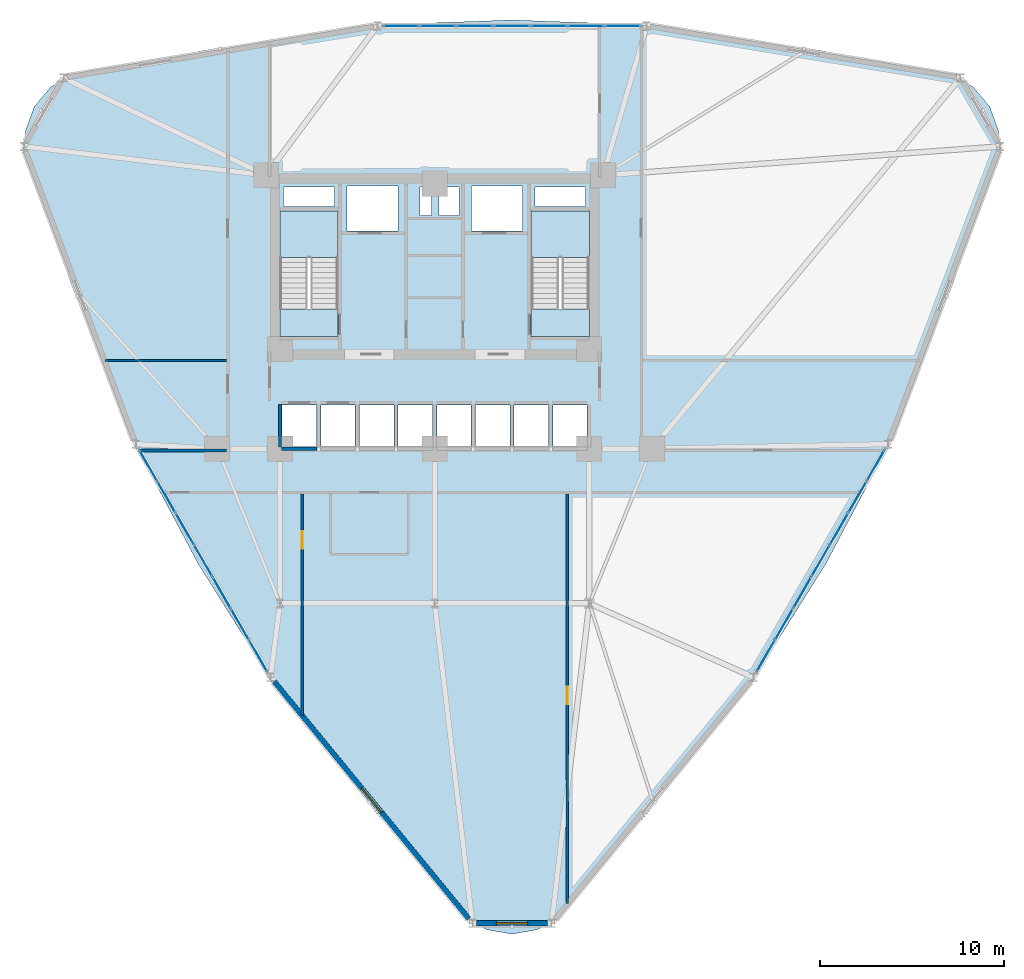
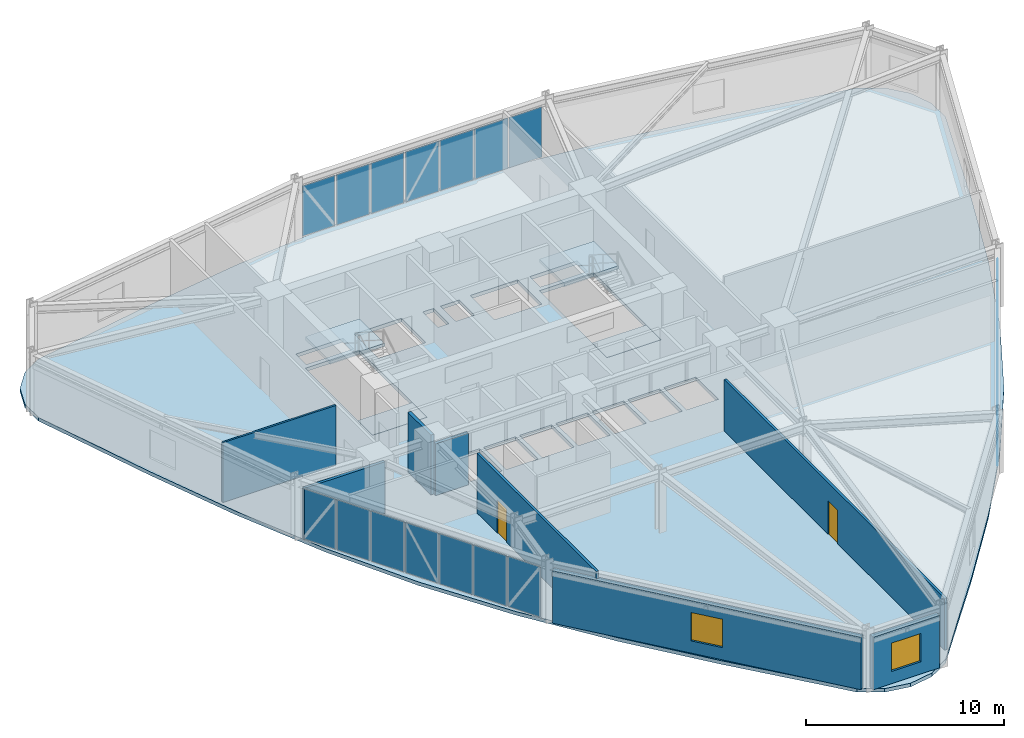
# One storey, part 13 of 20: 21 plates, 8 walls, 5 slabs, 2 doors, 2 windows, 4 openings, 5 elements without a shape of their own.
"""IFC4 building model written with IfcOpenShell, lengths in metres."""

from ifc_helpers import new_model, si_unit, derived_unit, direction, frame, frame_2d, origin, origin_2d, place, context, subcontext, project, spatial, polyline, rectangle, outline, extrude, source, transform, mapped, material, layer, layer_set, type_object, element, fill, aggregate, save


model = new_model("IFC4")

# Units and contexts
model_context = context("Model", 3, precision=1e-05, world=origin(), true_north=direction((0.0, 1.0)))
body_context = subcontext(model_context, "Body", "Model", "MODEL_VIEW")
ifc_project = project(units=[si_unit("LENGTHUNIT", "METRE"), si_unit("AREAUNIT", "SQUARE_METRE"), si_unit("VOLUMEUNIT", "CUBIC_METRE"), si_unit("PLANEANGLEUNIT", "RADIAN"), si_unit("MASSUNIT", "GRAM", prefix="KILO"), derived_unit("THERMALTRANSMITTANCEUNIT", [(si_unit("POWERUNIT", "WATT"), 1), (si_unit("LENGTHUNIT", "METRE"), -2), (si_unit("THERMODYNAMICTEMPERATUREUNIT", "KELVIN"), -1)])], contexts=[model_context])

# Site, building, storey
site_placement = place(None, origin())
site = spatial("IfcSite", under=ifc_project, at=site_placement, CompositionType="ELEMENT")
building_placement = place(site_placement, origin())
building = spatial("IfcBuilding", under=site, at=building_placement, Name="Korsvarv Bourse and Concert Hall", CompositionType="ELEMENT")
storey_placement = place(building_placement, frame((0.0, 0.0, 87.300048828125)))
storey = spatial("IfcBuildingStorey", under=building, at=storey_placement, Name="L21", CompositionType="ELEMENT", Elevation=87.300048828125)

# Slabs
ifc_material_1 = material(Name="Precast concrete C45/55", Category="concrete")
ifc_layer_1 = layer(ifc_material_1, 0.199951171875)
ifc_layer_set_1 = layer_set([ifc_layer_1], Name="Precast concrete C45/55")
slab_type_1 = type_object("IfcSlabType", Name="SLB-FLND-T", PredefinedType="LANDING", material=ifc_layer_set_1)
slab_1_placement = place(storey_placement, frame((0.0, 0.0, -0.199951171875)))
element("IfcSlab", 1, at=slab_1_placement, inside=storey, type_object=slab_type_1, Name="L21 Stair ST-T1 Floor Landing Slab", PredefinedType="LANDING", context=body_context, shape_type="SweptSolid", body=[
    extrude(outline(polyline([(30.760009765625, 38.5), (30.760009765625, 40.0), (27.60009765625, 40.0), (27.60009765625, 38.5), (30.760009765625, 38.5)])), origin(), (0.0, 0.0, 1.0), 0.199951171875),
])
slab_2_placement = place(storey_placement, frame((0.0, 0.0, -0.199951171875)))
element("IfcSlab", 2, at=slab_2_placement, inside=storey, type_object=slab_type_1, Name="L21 Stair ST-T2 Floor Landing Slab", PredefinedType="LANDING", context=body_context, shape_type="SweptSolid", body=[
    extrude(outline(polyline([(44.39990234375, 38.5), (44.39990234375, 40.0), (41.239990234375, 40.0), (41.239990234375, 38.5), (44.39990234375, 38.5)])), origin(), (0.0, 0.0, 1.0), 0.199951171875),
])

# Stair, slab
stair_type = type_object("IfcStairType", Name="STR-TYPE-03", PredefinedType="HALF_TURN_STAIR", material=ifc_material_1)
stair_1_placement = place(storey_placement, origin())
stair_1 = element("IfcStair", 3, at=stair_1_placement, inside=storey, type_object=stair_type, Name="L21 Tower West Exit Stair ST-T1", PredefinedType="HALF_TURN_STAIR")
ifc_layer_2 = layer(ifc_material_1, 0.199951171875)
ifc_layer_set_2 = layer_set([ifc_layer_2], Name="Precast concrete C45/55")
slab_type_2 = type_object("IfcSlabType", Name="SLB-ST-LND", PredefinedType="LANDING", material=ifc_layer_set_2)
slab_3_placement = place(storey_placement, frame((0.0, 0.0, 1.75)))
slab_3 = element("IfcSlab", 4, at=slab_3_placement, type_object=slab_type_2, Name="ST-T1 landing 1", PredefinedType="LANDING", context=body_context, shape_type="SweptSolid", body=[
    extrude(outline(polyline([(30.760009765625, 42.800048828125), (30.760009765625, 45.300048828125), (27.60009765625, 45.300048828125), (27.60009765625, 42.800048828125), (30.760009765625, 42.800048828125)])), origin(), (0.0, 0.0, 1.0), 0.199951171875),
])
aggregate(stair_1, [slab_3])

stair_2_placement = place(storey_placement, origin())
stair_2 = element("IfcStair", 5, at=stair_2_placement, inside=storey, type_object=stair_type, Name="L21 Tower East Exit Stair ST-T2", PredefinedType="HALF_TURN_STAIR")
slab_4_placement = place(storey_placement, frame((0.0, 0.0, 1.75)))
slab_4 = element("IfcSlab", 6, at=slab_4_placement, type_object=slab_type_2, Name="ST-T2 landing 1", PredefinedType="LANDING", context=body_context, shape_type="SweptSolid", body=[
    extrude(outline(polyline([(44.39990234375, 42.800048828125), (44.39990234375, 45.300048828125), (41.239990234375, 45.300048828125), (41.239990234375, 42.800048828125), (44.39990234375, 42.800048828125)])), origin(), (0.0, 0.0, 1.0), 0.199951171875),
])
aggregate(stair_2, [slab_4])

# Slab
ifc_material_2 = material(Name="Concrete C45/55", Category="concrete")
ifc_layer_3 = layer(ifc_material_2, 0.219970703125)
ifc_layer_set_3 = layer_set([ifc_layer_3], Name="Concrete C45/55")
slab_type_3 = type_object("IfcSlabType", Name="SLB-TW1", PredefinedType="FLOOR", material=ifc_layer_set_3)
slab_5_placement = place(storey_placement, frame((0.0, 0.0, -0.219970703125)))
element("IfcSlab", 7, at=slab_5_placement, inside=storey, type_object=slab_type_3, Name="L21 tower structural floor slab", PredefinedType="FLOOR", context=body_context, shape_type="SweptSolid", body=[
    extrude(outline(polyline([(66.087890625, 46.8076171875), (64.17333984375, 41.4423828125), (62.131591796875, 36.17578125), (59.8486328125, 31.069091796875), (57.24658203125, 26.158203125), (54.29443359375, 21.44921875), (51.013427734375, 16.918701171875), (47.473388671875, 12.517333984375), (43.784423828125, 8.176513671875), (43.781005859375, 8.17236328125), (42.78369140625, 6.984130859375), (41.57470703125, 6.2861328125), (40.199951171875, 6.043701171875), (38.8251953125, 6.2861328125), (37.6162109375, 6.984130859375), (36.619140625, 8.17236328125), (36.615478515625, 8.176513671875), (32.926513671875, 12.517333984375), (29.386474609375, 16.918701171875), (26.10546875, 21.44921875), (23.153564453125, 26.158203125), (20.551513671875, 31.069091796875), (18.268310546875, 36.17578125), (16.226806640625, 41.4423828125), (14.31201171875, 46.8076171875), (14.31005859375, 46.812744140625), (13.779541015625, 48.2705078125), (13.779541015625, 49.666259765625), (14.257080078125, 50.97802734375), (15.154296875, 52.047607421875), (16.36328125, 52.74560546875), (17.89111328125, 53.014892578125), (17.896484375, 53.015869140625), (23.5, 54.040283203125), (29.081787109375, 54.905517578125), (34.64599609375, 55.481689453125), (40.199951171875, 55.68359375), (45.754150390625, 55.481689453125), (51.318115234375, 54.905517578125), (56.89990234375, 54.040283203125), (62.503662109375, 53.015869140625), (62.5087890625, 53.014892578125), (64.03662109375, 52.74560546875), (65.24560546875, 52.047607421875), (66.142822265625, 50.978271484375), (66.620361328125, 49.666259765625), (66.620361328125, 48.2705078125), (66.08984375, 46.812744140625), (66.087890625, 46.8076171875)]), holes=[polyline([(30.760009765625, 38.5), (30.760009765625, 45.300048828125), (27.60009765625, 45.300048828125), (27.60009765625, 38.5), (30.760009765625, 38.5)]), polyline([(44.39990234375, 38.5), (44.39990234375, 45.300048828125), (41.239990234375, 45.300048828125), (41.239990234375, 38.5), (44.39990234375, 38.5)]), polyline([(31.239990234375, 44.219970703125), (34.0, 44.219970703125), (34.0, 46.679931640625), (31.239990234375, 46.679931640625), (31.239990234375, 44.219970703125)]), polyline([(38.0, 44.219970703125), (40.760009765625, 44.219970703125), (40.760009765625, 46.679931640625), (38.0, 46.679931640625), (38.0, 44.219970703125)]), polyline([(27.719970703125, 32.52001953125), (29.580078125, 32.52001953125), (29.580078125, 34.780029296875), (27.719970703125, 34.780029296875), (27.719970703125, 32.52001953125)]), polyline([(29.820068359375, 32.52001953125), (31.679931640625, 32.52001953125), (31.679931640625, 34.780029296875), (29.820068359375, 34.780029296875), (29.820068359375, 32.52001953125)]), polyline([(31.919921875, 32.52001953125), (33.780029296875, 32.52001953125), (33.780029296875, 34.780029296875), (31.919921875, 34.780029296875), (31.919921875, 32.52001953125)]), polyline([(34.02001953125, 32.52001953125), (35.8798828125, 32.52001953125), (35.8798828125, 34.780029296875), (34.02001953125, 34.780029296875), (34.02001953125, 32.52001953125)]), polyline([(36.1201171875, 32.52001953125), (37.97998046875, 32.52001953125), (37.97998046875, 34.780029296875), (36.1201171875, 34.780029296875), (36.1201171875, 32.52001953125)]), polyline([(38.219970703125, 32.52001953125), (40.080078125, 32.52001953125), (40.080078125, 34.780029296875), (38.219970703125, 34.780029296875), (38.219970703125, 32.52001953125)]), polyline([(40.320068359375, 32.52001953125), (42.179931640625, 32.52001953125), (42.179931640625, 34.780029296875), (40.320068359375, 34.780029296875), (40.320068359375, 32.52001953125)]), polyline([(42.419921875, 32.52001953125), (44.280029296875, 32.52001953125), (44.280029296875, 34.780029296875), (42.419921875, 34.780029296875), (42.419921875, 32.52001953125)]), polyline([(27.800048828125, 45.56005859375), (30.56005859375, 45.56005859375), (30.56005859375, 46.6201171875), (27.800048828125, 46.6201171875), (27.800048828125, 45.56005859375)]), polyline([(41.43994140625, 45.56005859375), (44.199951171875, 45.56005859375), (44.199951171875, 46.6201171875), (41.43994140625, 46.6201171875), (41.43994140625, 45.56005859375)]), polyline([(35.199951171875, 45.080078125), (35.840087890625, 45.080078125), (35.840087890625, 46.6201171875), (35.199951171875, 46.6201171875), (35.199951171875, 45.080078125)]), polyline([(36.239990234375, 45.080078125), (37.320068359375, 45.080078125), (37.320068359375, 46.6201171875), (36.239990234375, 46.6201171875), (36.239990234375, 45.080078125)])]), origin(), (0.0, 0.0, 1.0), 0.219970703125),
])

# Curtain wall, plates
ifc_material_3 = material(Name="Anodised aluminium and triple low-E glazing", Category="glass")
ifc_layer_4 = layer(ifc_material_3, 0.219970703125)
ifc_layer_set_4 = layer_set([ifc_layer_4], Name="Anodised aluminium and triple low-E glazing")
curtain_wall_type = type_object("IfcCurtainWallType", Name="CW-SYS-1", PredefinedType="NOTDEFINED", material=ifc_layer_set_4)
curtain_wall_1_placement = place(storey_placement, origin())
curtain_wall_1 = element("IfcCurtainWall", 8, at=curtain_wall_1_placement, inside=storey, type_object=curtain_wall_type, Name="L21 CW1 curtain wall CW-L21-F03", PredefinedType="NOTDEFINED")
ifc_material_4 = material(Name="Insulated spandrel glass", Category="glass")
ifc_layer_5 = layer(ifc_material_4, 0.031982421875)
ifc_layer_set_5 = layer_set([ifc_layer_5], Name="Insulated spandrel glass")
plate_type_1 = type_object("IfcPlateType", Name="CWP-SPD1", PredefinedType="CURTAIN_PANEL", material=ifc_layer_set_5)
shared_shape_1 = source(origin(), body_context, "Body", "SweptSolid", [
    extrude(rectangle(XDim=1.908447265625, YDim=0.031982421875, at=origin_2d()), origin(), (0.0, 0.0, 1.0), 3.10009765625),
])
plate_1_placement = place(storey_placement, frame((46.222900390625, 55.35791015625, 0.06494140625), z_axis=(0.0, 0.0, 1.0), x_axis=(-1.0, 0.0, 0.0)))
plate_1 = element("IfcPlate", 9, at=plate_1_placement, type_object=plate_type_1, Name="CW1 spandrel shadow-box panel 1.1", PredefinedType="CURTAIN_PANEL", context=body_context, shape_type="MappedRepresentation", body=[
    mapped(shared_shape_1, transform((0.0, 0.0, 0.0), scale=1.0)),
])
plate_2_placement = place(storey_placement, frame((34.17724609375, 55.35791015625, 0.06494140625), z_axis=(0.0, 0.0, 1.0), x_axis=(-1.0, 0.0, 0.0)))
plate_2 = element("IfcPlate", 10, at=plate_2_placement, type_object=plate_type_1, Name="CW1 spandrel shadow-box panel 7.1", PredefinedType="CURTAIN_PANEL", context=body_context, shape_type="MappedRepresentation", body=[
    mapped(shared_shape_1, transform((0.0, 0.0, 0.0), scale=1.0)),
])
ifc_material_5 = material(Name="Tempered triple insulated low-E architectural glass", Category="glass")
ifc_layer_6 = layer(ifc_material_5, 0.035888671875)
ifc_layer_set_6 = layer_set([ifc_layer_6], Name="Tempered triple insulated low-E architectural glass")
plate_type_2 = type_object("IfcPlateType", Name="CWP-VIS1", PredefinedType="CURTAIN_PANEL", material=ifc_layer_set_6)
shared_shape_2 = source(origin(), body_context, "Body", "SweptSolid", [
    extrude(rectangle(XDim=1.943359375, YDim=0.035888671875, at=origin_2d()), origin(), (0.0, 0.0, 1.0), 3.10009765625),
])
plate_3_placement = place(storey_placement, frame((44.226806640625, 55.35791015625, 0.06494140625), z_axis=(0.0, 0.0, 1.0), x_axis=(-1.0, 0.0, 0.0)))
plate_3 = element("IfcPlate", 11, at=plate_3_placement, type_object=plate_type_2, Name="CW1 faceted panel 2.1", PredefinedType="CURTAIN_PANEL", context=body_context, shape_type="MappedRepresentation", body=[
    mapped(shared_shape_2, transform((0.0, 0.0, 0.0), scale=1.0)),
])
plate_4_placement = place(storey_placement, frame((42.21337890625, 55.35791015625, 0.06494140625), z_axis=(0.0, 0.0, 1.0), x_axis=(-1.0, 0.0, 0.0)))
plate_4 = element("IfcPlate", 12, at=plate_4_placement, type_object=plate_type_2, Name="CW1 faceted panel 3.1", PredefinedType="CURTAIN_PANEL", context=body_context, shape_type="MappedRepresentation", body=[
    mapped(shared_shape_2, transform((0.0, 0.0, 0.0), scale=1.0)),
])
plate_5_placement = place(storey_placement, frame((38.1865234375, 55.35791015625, 0.06494140625), z_axis=(0.0, 0.0, 1.0), x_axis=(-1.0, 0.0, 0.0)))
plate_5 = element("IfcPlate", 13, at=plate_5_placement, type_object=plate_type_2, Name="CW1 faceted panel 5.1", PredefinedType="CURTAIN_PANEL", context=body_context, shape_type="MappedRepresentation", body=[
    mapped(shared_shape_2, transform((0.0, 0.0, 0.0), scale=1.0)),
])
plate_6_placement = place(storey_placement, frame((36.173095703125, 55.35791015625, 0.06494140625), z_axis=(0.0, 0.0, 1.0), x_axis=(-1.0, 0.0, 0.0)))
plate_6 = element("IfcPlate", 14, at=plate_6_placement, type_object=plate_type_2, Name="CW1 faceted panel 6.1", PredefinedType="CURTAIN_PANEL", context=body_context, shape_type="MappedRepresentation", body=[
    mapped(shared_shape_2, transform((0.0, 0.0, 0.0), scale=1.0)),
])
shared_shape_3 = source(origin(), body_context, "Body", "SweptSolid", [
    extrude(rectangle(XDim=1.943359375, YDim=0.031982421875, at=origin_2d()), origin(), (0.0, 0.0, 1.0), 3.10009765625),
])
plate_7_placement = place(storey_placement, frame((40.199951171875, 55.35791015625, 0.06494140625), z_axis=(0.0, 0.0, 1.0), x_axis=(-1.0, 0.0, 0.0)))
plate_7 = element("IfcPlate", 15, at=plate_7_placement, type_object=plate_type_1, Name="CW1 spandrel shadow-box panel 4.1", PredefinedType="CURTAIN_PANEL", context=body_context, shape_type="MappedRepresentation", body=[
    mapped(shared_shape_3, transform((0.0, 0.0, 0.0), scale=1.0)),
])
aggregate(curtain_wall_1, [plate_1, plate_3, plate_4, plate_7, plate_5, plate_6, plate_2])

curtain_wall_2_placement = place(storey_placement, origin())
curtain_wall_2 = element("IfcCurtainWall", 16, at=curtain_wall_2_placement, inside=storey, type_object=curtain_wall_type, Name="L21 CW1 curtain wall CW-L21-F07", PredefinedType="NOTDEFINED")
shared_shape_4 = source(origin(), body_context, "Body", "SweptSolid", [
    extrude(rectangle(XDim=1.888671875, YDim=0.031982421875, at=origin_2d()), origin(), (0.0, 0.0, 1.0), 3.10009765625),
])
plate_8_placement = place(storey_placement, frame((20.453857421875, 31.485595703125, 0.06494140625), z_axis=(0.0, 0.0, 1.0), x_axis=(0.499998687942, -0.8660261613, 0.0)))
plate_8 = element("IfcPlate", 17, at=plate_8_placement, type_object=plate_type_1, Name="CW1 spandrel shadow-box panel 1.1", PredefinedType="CURTAIN_PANEL", context=body_context, shape_type="MappedRepresentation", body=[
    mapped(shared_shape_4, transform((0.0, 0.0, 0.0), scale=1.0)),
])
plate_9_placement = place(storey_placement, frame((26.417236328125, 21.15673828125, 0.06494140625), z_axis=(0.0, 0.0, 1.0), x_axis=(0.499998687942, -0.8660261613, 0.0)))
plate_9 = element("IfcPlate", 18, at=plate_9_placement, type_object=plate_type_1, Name="CW1 spandrel shadow-box panel 7.1", PredefinedType="CURTAIN_PANEL", context=body_context, shape_type="MappedRepresentation", body=[
    mapped(shared_shape_4, transform((0.0, 0.0, 0.0), scale=1.0)),
])

curtain_wall_3_placement = place(storey_placement, origin())
curtain_wall_3 = element("IfcCurtainWall", 19, at=curtain_wall_3_placement, inside=storey, type_object=curtain_wall_type, Name="L21 CW1 curtain wall CW-L21-F11", PredefinedType="NOTDEFINED")
plate_10_placement = place(storey_placement, frame((53.982666015625, 21.15673828125, 0.06494140625), z_axis=(0.0, 0.0, 1.0), x_axis=(0.499998687942, 0.8660261613, 0.0)))
plate_10 = element("IfcPlate", 20, at=plate_10_placement, type_object=plate_type_1, Name="CW1 spandrel shadow-box panel 1.1", PredefinedType="CURTAIN_PANEL", context=body_context, shape_type="MappedRepresentation", body=[
    mapped(shared_shape_4, transform((0.0, 0.0, 0.0), scale=1.0)),
])
plate_11_placement = place(storey_placement, frame((59.946044921875, 31.485595703125, 0.06494140625), z_axis=(0.0, 0.0, 1.0), x_axis=(0.499998687942, 0.8660261613, 0.0)))
plate_11 = element("IfcPlate", 21, at=plate_11_placement, type_object=plate_type_1, Name="CW1 spandrel shadow-box panel 7.1", PredefinedType="CURTAIN_PANEL", context=body_context, shape_type="MappedRepresentation", body=[
    mapped(shared_shape_4, transform((0.0, 0.0, 0.0), scale=1.0)),
])

# Plate
shared_shape_5 = source(origin(), body_context, "Body", "SweptSolid", [
    extrude(rectangle(XDim=1.923583984375, YDim=0.035888671875, at=origin_2d()), origin(), (0.0, 0.0, 1.0), 3.10009765625),
])
plate_12_placement = place(storey_placement, frame((21.44189453125, 29.774169921875, 0.06494140625), z_axis=(0.0, 0.0, 1.0), x_axis=(0.499998687942, -0.8660261613, 0.0)))
plate_12 = element("IfcPlate", 22, at=plate_12_placement, type_object=plate_type_2, Name="CW1 faceted panel 2.1", PredefinedType="CURTAIN_PANEL", context=body_context, shape_type="MappedRepresentation", body=[
    mapped(shared_shape_5, transform((0.0, 0.0, 0.0), scale=1.0)),
])

plate_13_placement = place(storey_placement, frame((22.438720703125, 28.047607421875, 0.06494140625), z_axis=(0.0, 0.0, 1.0), x_axis=(0.499998687942, -0.8660261613, 0.0)))
plate_13 = element("IfcPlate", 23, at=plate_13_placement, type_object=plate_type_2, Name="CW1 faceted panel 3.1", PredefinedType="CURTAIN_PANEL", context=body_context, shape_type="MappedRepresentation", body=[
    mapped(shared_shape_5, transform((0.0, 0.0, 0.0), scale=1.0)),
])

plate_14_placement = place(storey_placement, frame((24.432373046875, 24.594482421875, 0.06494140625), z_axis=(0.0, 0.0, 1.0), x_axis=(0.499998687942, -0.8660261613, 0.0)))
plate_14 = element("IfcPlate", 24, at=plate_14_placement, type_object=plate_type_2, Name="CW1 faceted panel 5.1", PredefinedType="CURTAIN_PANEL", context=body_context, shape_type="MappedRepresentation", body=[
    mapped(shared_shape_5, transform((0.0, 0.0, 0.0), scale=1.0)),
])

plate_15_placement = place(storey_placement, frame((25.42919921875, 22.8681640625, 0.06494140625), z_axis=(0.0, 0.0, 1.0), x_axis=(0.499998687942, -0.8660261613, 0.0)))
plate_15 = element("IfcPlate", 25, at=plate_15_placement, type_object=plate_type_2, Name="CW1 faceted panel 6.1", PredefinedType="CURTAIN_PANEL", context=body_context, shape_type="MappedRepresentation", body=[
    mapped(shared_shape_5, transform((0.0, 0.0, 0.0), scale=1.0)),
])

plate_16_placement = place(storey_placement, frame((54.970703125, 22.8681640625, 0.06494140625), z_axis=(0.0, 0.0, 1.0), x_axis=(0.499998687942, 0.8660261613, 0.0)))
plate_16 = element("IfcPlate", 26, at=plate_16_placement, type_object=plate_type_2, Name="CW1 faceted panel 2.1", PredefinedType="CURTAIN_PANEL", context=body_context, shape_type="MappedRepresentation", body=[
    mapped(shared_shape_5, transform((0.0, 0.0, 0.0), scale=1.0)),
])

plate_17_placement = place(storey_placement, frame((55.967529296875, 24.594482421875, 0.06494140625), z_axis=(0.0, 0.0, 1.0), x_axis=(0.499998687942, 0.8660261613, 0.0)))
plate_17 = element("IfcPlate", 27, at=plate_17_placement, type_object=plate_type_2, Name="CW1 faceted panel 3.1", PredefinedType="CURTAIN_PANEL", context=body_context, shape_type="MappedRepresentation", body=[
    mapped(shared_shape_5, transform((0.0, 0.0, 0.0), scale=1.0)),
])

plate_18_placement = place(storey_placement, frame((57.961181640625, 28.047607421875, 0.06494140625), z_axis=(0.0, 0.0, 1.0), x_axis=(0.499998687942, 0.8660261613, 0.0)))
plate_18 = element("IfcPlate", 28, at=plate_18_placement, type_object=plate_type_2, Name="CW1 faceted panel 5.1", PredefinedType="CURTAIN_PANEL", context=body_context, shape_type="MappedRepresentation", body=[
    mapped(shared_shape_5, transform((0.0, 0.0, 0.0), scale=1.0)),
])

plate_19_placement = place(storey_placement, frame((58.9580078125, 29.774169921875, 0.06494140625), z_axis=(0.0, 0.0, 1.0), x_axis=(0.499998687942, 0.8660261613, 0.0)))
plate_19 = element("IfcPlate", 29, at=plate_19_placement, type_object=plate_type_2, Name="CW1 faceted panel 6.1", PredefinedType="CURTAIN_PANEL", context=body_context, shape_type="MappedRepresentation", body=[
    mapped(shared_shape_5, transform((0.0, 0.0, 0.0), scale=1.0)),
])

shared_shape_6 = source(origin(), body_context, "Body", "SweptSolid", [
    extrude(rectangle(XDim=1.923583984375, YDim=0.031982421875, at=origin_2d()), origin(), (0.0, 0.0, 1.0), 3.10009765625),
])
plate_20_placement = place(storey_placement, frame((23.435546875, 26.321044921875, 0.06494140625), z_axis=(0.0, 0.0, 1.0), x_axis=(0.499998687942, -0.8660261613, 0.0)))
plate_20 = element("IfcPlate", 30, at=plate_20_placement, type_object=plate_type_1, Name="CW1 spandrel shadow-box panel 4.1", PredefinedType="CURTAIN_PANEL", context=body_context, shape_type="MappedRepresentation", body=[
    mapped(shared_shape_6, transform((0.0, 0.0, 0.0), scale=1.0)),
])

aggregate(curtain_wall_2, [plate_8, plate_12, plate_13, plate_20, plate_14, plate_15, plate_9])

plate_21_placement = place(storey_placement, frame((56.96435546875, 26.321044921875, 0.06494140625), z_axis=(0.0, 0.0, 1.0), x_axis=(0.499998687942, 0.8660261613, 0.0)))
plate_21 = element("IfcPlate", 31, at=plate_21_placement, type_object=plate_type_1, Name="CW1 spandrel shadow-box panel 4.1", PredefinedType="CURTAIN_PANEL", context=body_context, shape_type="MappedRepresentation", body=[
    mapped(shared_shape_6, transform((0.0, 0.0, 0.0), scale=1.0)),
])

aggregate(curtain_wall_3, [plate_10, plate_16, plate_17, plate_21, plate_18, plate_19, plate_11])

# Wall, opening, window
ifc_material_6 = material(Name="Precast concrete C45/55 with terracotta rainscreen", Category="concrete")
ifc_layer_7 = layer(ifc_material_6, 0.300048828125)
ifc_layer_set_7 = layer_set([ifc_layer_7], Name="Precast concrete C45/55 with terracotta rainscreen")
wall_type_1 = type_object("IfcWallType", Name="WL-EXT-TC1", PredefinedType="SOLIDWALL", material=ifc_layer_set_7)
wall_1_placement = place(storey_placement, frame((38.2666015625, 6.63623046875, 0.0), z_axis=(0.0, 0.0, 1.0), x_axis=(1.0, 0.0, 0.0)))
wall_1 = element("IfcWall", 32, at=wall_1_placement, inside=storey, type_object=wall_type_1, Name="L21 terracotta exterior wall EW-L21-B09", PredefinedType="SOLIDWALL", context=body_context, shape_type="SweptSolid", body=[
    extrude(rectangle(XDim=3.866943359375, YDim=0.300048828125, at=frame_2d((1.93359375, 0.0))), origin(), (0.0, 0.0, 1.0), 3.22998046875),
])
opening_1_placement = place(wall_1_placement, frame((1.08349609375, 0.0, 0.75)))
opening_1 = element("IfcOpeningElement", 33, at=opening_1_placement, cuts=wall_1, Name="Opening W-01", PredefinedType="OPENING", context=body_context, shape_type="SweptSolid", body=[
    extrude(rectangle(XDim=1.699951171875, YDim=1.75, at=frame_2d((0.85009765625, 0.875))), frame((0.0, 0.16015625, 0.0), z_axis=(0.0, -1.0, 0.0), x_axis=(1.0, 0.0, 0.0)), (0.0, 0.0, 1.0), 0.320068359375),
])
ifc_material_7 = material(Name="Thermally broken aluminium frame with triple low-E glass", Category="glass")
window_type = type_object("IfcWindowType", Name="WIN-TW1", PartitioningType="SINGLE_PANEL", PredefinedType="WINDOW", material=ifc_material_7)
window_1_placement = place(opening_1_placement, origin())
window_1 = element("IfcWindow", 34, at=window_1_placement, inside=storey, type_object=window_type, Name="L21 punched facade window W-01", OverallHeight=1.75, OverallWidth=1.699951171875, PartitioningType="SINGLE_PANEL", PredefinedType="WINDOW", context=body_context, shape_type="SweptSolid", body=[
    extrude(rectangle(XDim=1.699951171875, YDim=1.75, at=frame_2d((0.85009765625, 0.875))), frame((0.0, 0.030029296875, 0.0), z_axis=(0.0, -1.0, 0.0), x_axis=(1.0, 0.0, 0.0)), (0.0, 0.0, 1.0), 0.06005859375),
])
fill(opening_1, window_1)

ifc_material_8 = material(Name="Precast concrete C45/55 with fluted terracotta pier", Category="concrete")
ifc_layer_8 = layer(ifc_material_8, 0.280029296875)
ifc_layer_set_8 = layer_set([ifc_layer_8], Name="Precast concrete C45/55 with fluted terracotta pier")
wall_type_2 = type_object("IfcWallType", Name="WL-EXT-TC2", PredefinedType="SOLIDWALL", material=ifc_layer_set_8)
wall_2_placement = place(storey_placement, frame((27.288818359375, 19.749267578125, 0.0), z_axis=(0.0, 0.0, 1.0), x_axis=(0.634363798099, -0.77303465101, 0.0)))
wall_2 = element("IfcWall", 35, at=wall_2_placement, inside=storey, type_object=wall_type_2, Name="L21 terracotta exterior wall EW-L21-B08", PredefinedType="SOLIDWALL", context=body_context, shape_type="SweptSolid", body=[
    extrude(rectangle(XDim=16.649658203125, YDim=0.280029296875, at=frame_2d((8.32470703125, 0.0))), origin(), (0.0, 0.0, 1.0), 3.22998046875),
])
opening_2_placement = place(wall_2_placement, frame((7.47509765625, 0.0, 0.75)))
opening_2 = element("IfcOpeningElement", 36, at=opening_2_placement, cuts=wall_2, Name="Opening W-01", PredefinedType="OPENING", context=body_context, shape_type="SweptSolid", body=[
    extrude(rectangle(XDim=1.699951171875, YDim=1.75, at=frame_2d((0.85009765625, 0.875))), frame((0.0, 0.14990234375, 0.0), z_axis=(0.0, -1.0, 0.0), x_axis=(1.0, 0.0, 0.0)), (0.0, 0.0, 1.0), 0.300048828125),
])
window_2_placement = place(opening_2_placement, origin())
window_2 = element("IfcWindow", 37, at=window_2_placement, inside=storey, type_object=window_type, Name="L21 punched facade window W-01", OverallHeight=1.75, OverallWidth=1.699951171875, PartitioningType="SINGLE_PANEL", PredefinedType="WINDOW", context=body_context, shape_type="SweptSolid", body=[
    extrude(rectangle(XDim=1.699951171875, YDim=1.75, at=frame_2d((0.85009765625, 0.875))), frame((0.0, 0.030029296875, 0.0), z_axis=(0.0, -1.0, 0.0), x_axis=(1.0, 0.0, 0.0)), (0.0, 0.0, 1.0), 0.06005859375),
])
fill(opening_2, window_2)

# Walls
ifc_material_9 = material(Name="Double-stud fire-rated acoustic partition", Category="gypsum")
ifc_layer_9 = layer(ifc_material_9, 0.159912109375)
ifc_layer_set_9 = layer_set([ifc_layer_9], Name="Double-stud fire-rated acoustic partition")
wall_type_3 = type_object("IfcWallType", Name="WL-INT-EI60", PredefinedType="PARTITIONING", material=ifc_layer_set_9)
wall_3_placement = place(storey_placement, frame((19.9951171875, 32.31494140625, 0.0), z_axis=(0.0, 0.0, 1.0), x_axis=(1.0, 0.0, 0.0)))
element("IfcWall", 38, at=wall_3_placement, inside=storey, type_object=wall_type_3, Name="L21 interior partition wall W-L21-TCOR-07", PredefinedType="PARTITIONING", context=body_context, shape_type="SweptSolid", body=[
    extrude(rectangle(XDim=4.697998046875, YDim=0.159912109375, at=frame_2d((2.34912109375, 0.0))), origin(), (0.0, 0.0, 1.0), 3.179931640625),
])
ifc_material_10 = material(Name="Gypsum-clad autoclaved concrete shaft wall C30/37", Category="concrete")
ifc_layer_10 = layer(ifc_material_10, 0.179931640625)
ifc_layer_set_10 = layer_set([ifc_layer_10], Name="Gypsum-clad autoclaved concrete shaft wall C30/37")
wall_type_4 = type_object("IfcWallType", Name="WL-INT-EI90", PredefinedType="PARTITIONING", material=ifc_layer_set_10)
wall_4_placement = place(storey_placement, frame((27.68994140625, 32.39990234375, 0.0), z_axis=(0.0, 0.0, 1.0), x_axis=(1.0, 0.0, 0.0)))
element("IfcWall", 39, at=wall_4_placement, inside=storey, type_object=wall_type_4, Name="L21 interior partition wall W-L21-SHFS-PL1", PredefinedType="PARTITIONING", context=body_context, shape_type="SweptSolid", body=[
    extrude(rectangle(XDim=1.920166015625, YDim=0.179931640625, at=frame_2d((0.9599609375, 0.0))), origin(), (0.0, 0.0, 1.0), 3.179931640625),
])
wall_5_placement = place(storey_placement, frame((27.60009765625, 32.489990234375, 0.0), z_axis=(0.0, 0.0, 1.0), x_axis=(0.0, 1.0, 0.0)))
element("IfcWall", 40, at=wall_5_placement, inside=storey, type_object=wall_type_4, Name="L21 interior partition wall W-L21-SHFW-PL1", PredefinedType="PARTITIONING", context=body_context, shape_type="SweptSolid", body=[
    extrude(rectangle(XDim=2.320068359375, YDim=0.179931640625, at=frame_2d((1.16015625, 0.0))), origin(), (0.0, 0.0, 1.0), 3.679931640625),
])
ifc_material_11 = material(Name="Demountable acoustic glass and aluminium dealing partition", Category="aluminium")
ifc_layer_11 = layer(ifc_material_11, 0.110107421875)
ifc_layer_set_11 = layer_set([ifc_layer_11], Name="Demountable acoustic glass and aluminium dealing partition")
wall_type_5 = type_object("IfcWallType", Name="WL-INT-MOV", PredefinedType="MOVABLE", material=ifc_layer_set_11)
wall_6_placement = place(storey_placement, frame((18.0869140625, 37.205078125, 0.0), z_axis=(0.0, 0.0, 1.0), x_axis=(1.0, 0.0, 0.0)))
element("IfcWall", 41, at=wall_6_placement, inside=storey, type_object=wall_type_5, Name="L21 interior partition wall W-L21-TCOR-11", PredefinedType="MOVABLE", context=body_context, shape_type="SweptSolid", body=[
    extrude(rectangle(XDim=6.606201171875, YDim=0.110107421875, at=frame_2d((3.30322265625, 0.0))), origin(), (0.0, 0.0, 1.0), 3.679931640625),
])

# Wall, opening, door
ifc_material_12 = material(Name="Insulated steel-stud office acoustic partition", Category="gypsum")
ifc_layer_12 = layer(ifc_material_12, 0.139892578125)
ifc_layer_set_12 = layer_set([ifc_layer_12], Name="Insulated steel-stud office acoustic partition")
wall_type_6 = type_object("IfcWallType", Name="WL-INT-P1", PredefinedType="PARTITIONING", material=ifc_layer_set_12)
wall_7_placement = place(storey_placement, frame((43.205078125, 7.697509765625, 0.0), z_axis=(0.0, 0.0, 1.0), x_axis=(0.0, 1.0, 0.0)))
wall_7 = element("IfcWall", 42, at=wall_7_placement, inside=storey, type_object=wall_type_6, Name="L21 interior partition wall W-L21-TCOR-08", PredefinedType="PARTITIONING", context=body_context, shape_type="SweptSolid", body=[
    extrude(rectangle(XDim=22.24560546875, YDim=0.139892578125, at=frame_2d((11.122802734375, 0.0))), origin(), (0.0, 0.0, 1.0), 3.179931640625),
])
opening_3_placement = place(wall_7_placement, frame((10.8212890625, 0.0, 0.0)))
opening_3 = element("IfcOpeningElement", 43, at=opening_3_placement, cuts=wall_7, Name="Opening D-03", PredefinedType="OPENING", context=body_context, shape_type="SweptSolid", body=[
    extrude(rectangle(XDim=0.949951171875, YDim=2.050048828125, at=frame_2d((0.47509765625, 1.02490234375))), frame((0.0, 0.080078125, 0.0), z_axis=(0.0, -1.0, 0.0), x_axis=(1.0, 0.0, 0.0)), (0.0, 0.0, 1.0), 0.159912109375),
])
ifc_material_13 = material(Name="Nordic oak acoustic office door", Category="wood")
door_type = type_object("IfcDoorType", Name="DR-INT-1", OperationType="NOTDEFINED", PredefinedType="DOOR", material=ifc_material_13)
door_1_placement = place(opening_3_placement, origin())
door_1 = element("IfcDoor", 44, at=door_1_placement, inside=storey, type_object=door_type, Name="L21 interior door DR-L21-TCOR-R035", OperationType="SINGLE_SWING_RIGHT", OverallHeight=2.050048828125, OverallWidth=0.949951171875, PredefinedType="DOOR", context=body_context, shape_type="SweptSolid", body=[
    extrude(rectangle(XDim=0.949951171875, YDim=2.050048828125, at=frame_2d((0.47509765625, 1.02490234375))), frame((0.0, 0.02490234375, 0.0), z_axis=(0.0, -1.0, 0.0), x_axis=(1.0, 0.0, 0.0)), (0.0, 0.0, 1.0), 0.050048828125),
])
fill(opening_3, door_1)

wall_8_placement = place(storey_placement, frame((28.804931640625, 17.92138671875, 0.0), z_axis=(0.0, 0.0, 1.0), x_axis=(0.0, 1.0, 0.0)))
wall_8 = element("IfcWall", 45, at=wall_8_placement, inside=storey, type_object=wall_type_6, Name="L21 interior partition wall W-L21-TCOR-10", PredefinedType="PARTITIONING", context=body_context, shape_type="SweptSolid", body=[
    extrude(rectangle(XDim=12.021728515625, YDim=0.139892578125, at=frame_2d((6.0107421875, 0.0))), origin(), (0.0, 0.0, 1.0), 3.679931640625),
])
opening_4_placement = place(wall_8_placement, frame((9.036865234375, 0.0, 0.0)))
opening_4 = element("IfcOpeningElement", 46, at=opening_4_placement, cuts=wall_8, Name="Opening D-03", PredefinedType="OPENING", context=body_context, shape_type="SweptSolid", body=[
    extrude(rectangle(XDim=0.949951171875, YDim=2.050048828125, at=frame_2d((0.47509765625, 1.02490234375))), frame((0.0, 0.080078125, 0.0), z_axis=(0.0, -1.0, 0.0), x_axis=(1.0, 0.0, 0.0)), (0.0, 0.0, 1.0), 0.159912109375),
])
door_2_placement = place(opening_4_placement, origin())
door_2 = element("IfcDoor", 47, at=door_2_placement, inside=storey, type_object=door_type, Name="L21 interior door DR-L21-TCOR-R014", OperationType="SINGLE_SWING_LEFT", OverallHeight=2.050048828125, OverallWidth=0.949951171875, PredefinedType="DOOR", context=body_context, shape_type="SweptSolid", body=[
    extrude(rectangle(XDim=0.949951171875, YDim=2.050048828125, at=frame_2d((0.47509765625, 1.02490234375))), frame((0.0, 0.02490234375, 0.0), z_axis=(0.0, -1.0, 0.0), x_axis=(1.0, 0.0, 0.0)), (0.0, 0.0, 1.0), 0.050048828125),
])
fill(opening_4, door_2)

save(model, "model.ifc")
